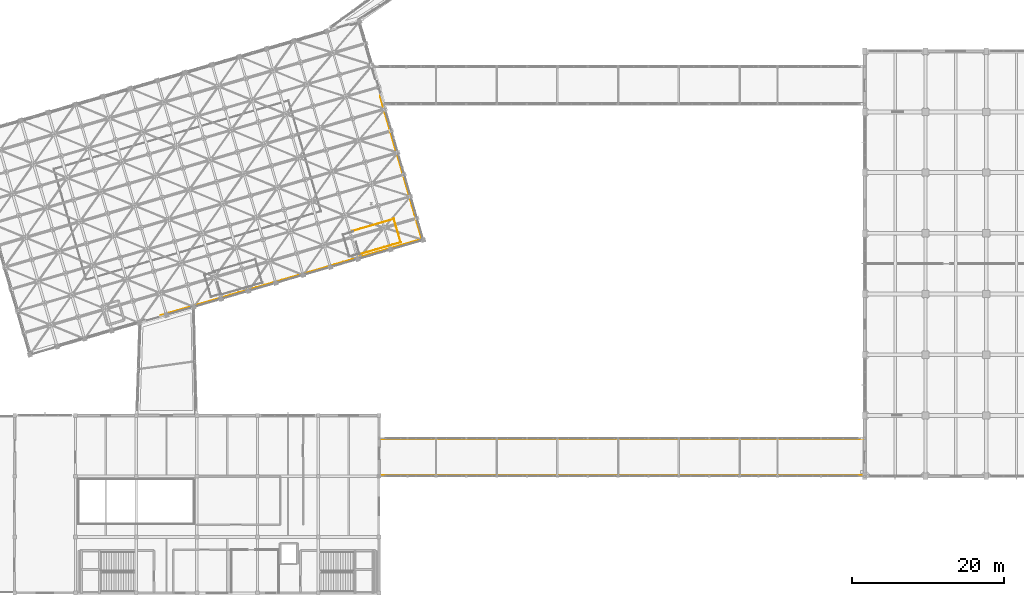
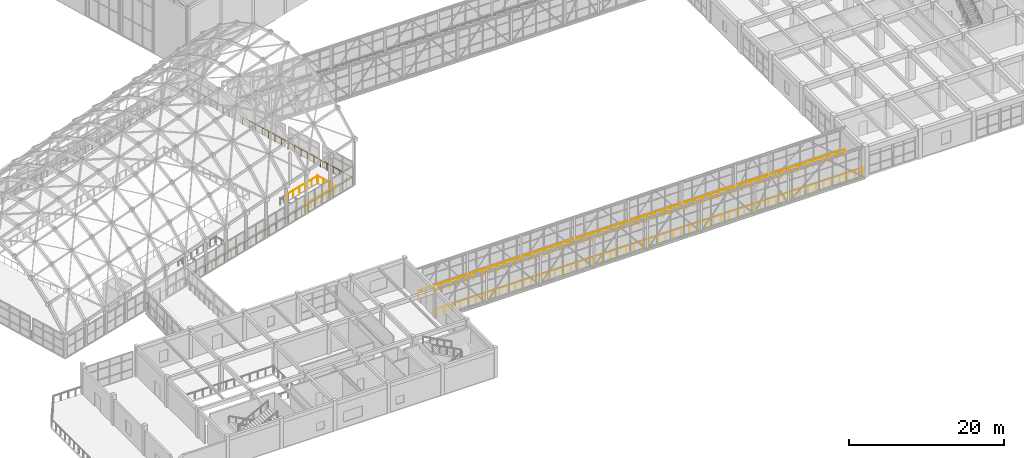
# One storey, part 241 of 248: 6 railings.
"""IFC4 building model written with IfcOpenShell, lengths in metres."""

from ifc_helpers import new_model, si_unit, direction, frame, origin, origin_2d, place, context, subcontext, project, spatial, circle, extrude, material, type_object, element, save


model = new_model("IFC4")

# Units and contexts
model_context = context("Model", 3, precision=1e-05, world=origin(), true_north=direction((0.0, 1.0)))
body_context = subcontext(model_context, "Body", "Model", "MODEL_VIEW")
ifc_project = project(units=[si_unit("LENGTHUNIT", "METRE"), si_unit("AREAUNIT", "SQUARE_METRE"), si_unit("VOLUMEUNIT", "CUBIC_METRE"), si_unit("PLANEANGLEUNIT", "RADIAN"), si_unit("MASSUNIT", "GRAM", prefix="KILO")], contexts=[model_context])

# Site, building, storey
site_placement = place(None, origin())
site = spatial("IfcSite", under=ifc_project, at=site_placement, CompositionType="ELEMENT")
building_placement = place(site_placement, origin())
building = spatial("IfcBuilding", under=site, at=building_placement, Name="Canggui Botanical Conservatory", CompositionType="ELEMENT")
storey_placement = place(building_placement, frame((0.0, 0.0, 5.39990234375)))
storey = spatial("IfcBuildingStorey", under=building, at=storey_placement, Name="L02", CompositionType="ELEMENT", Elevation=5.39990234375)

# Railings
ifc_material_1 = material(Name="Stainless Steel 304", Category="steel")
railing_type_1 = type_object("IfcRailingType", Name="RAIL-GUARD-1100", PredefinedType="BALUSTRADE", material=ifc_material_1)
for number, where, name in (
    (1, (63.382080078125, 55.22607421875, 0.0), "L02 ST-C2 top well guard 2"),
    (2, (62.486083984375, 58.298095703125, 0.0), "L02 ST-C2 top well guard 3"),
):
    element("IfcRailing", number, at=place(storey_placement, frame(where)), inside=storey, type_object=railing_type_1, Name=name, PredefinedType="BALUSTRADE", context=body_context, shape_type="SweptSolid", body=[
        extrude(circle(Radius=0.02392578125, at=origin_2d()), frame((0.0, 0.0, 1.076171875), z_axis=(0.96000665736, 0.279977173756, 0.0), x_axis=(-0.279977173756, 0.96000665736, 0.0)), (0.0, 0.0, 1.0), 5.75),
        extrude(circle(Radius=0.02099609375, at=origin_2d()), origin(), (0.0, 0.0, 1.0), 1.052001953125),
        extrude(circle(Radius=0.02099609375, at=origin_2d()), frame((1.10400390625, 0.322021484375, 0.0)), (0.0, 0.0, 1.0), 1.052001953125),
        extrude(circle(Radius=0.02099609375, at=origin_2d()), frame((2.2080078125, 0.64404296875, 0.0)), (0.0, 0.0, 1.0), 1.052001953125),
        extrude(circle(Radius=0.02099609375, at=origin_2d()), frame((3.31201171875, 0.9658203125, 0.0)), (0.0, 0.0, 1.0), 1.052001953125),
        extrude(circle(Radius=0.02099609375, at=origin_2d()), frame((4.416015625, 1.287841796875, 0.0)), (0.0, 0.0, 1.0), 1.052001953125),
        extrude(circle(Radius=0.02099609375, at=origin_2d()), frame((5.52001953125, 1.60986328125, 0.0)), (0.0, 0.0, 1.0), 1.052001953125),
    ])
railing_1_placement = place(storey_placement, frame((68.867919921875, 56.77392578125, 0.0)))
element("IfcRailing", 3, at=railing_1_placement, inside=storey, type_object=railing_type_1, Name="L02 ST-C2 top well guard 4", PredefinedType="BALUSTRADE", context=body_context, shape_type="SweptSolid", body=[
    extrude(circle(Radius=0.02392578125, at=origin_2d()), frame((0.0, 0.0, 1.076171875), z_axis=(-0.279954544065, 0.960013256813, 0.0), x_axis=(-0.960013256813, -0.279954544065, 0.0)), (0.0, 0.0, 1.0), 3.2998046875),
    extrude(circle(Radius=0.02099609375, at=origin_2d()), origin(), (0.0, 0.0, 1.0), 1.052001953125),
    extrude(circle(Radius=0.02099609375, at=origin_2d()), frame((-0.307861328125, 1.055908203125, 0.0)), (0.0, 0.0, 1.0), 1.052001953125),
    extrude(circle(Radius=0.02099609375, at=origin_2d()), frame((-0.615966796875, 2.112060546875, 0.0)), (0.0, 0.0, 1.0), 1.052001953125),
    extrude(circle(Radius=0.02099609375, at=origin_2d()), frame((-0.923828125, 3.16796875, 0.0)), (0.0, 0.0, 1.0), 1.052001953125),
])
ifc_material_2 = material(Name="Laminated Safety Glass", Category="glass")
railing_type_2 = type_object("IfcRailingType", Name="RAIL-TERR-1200", PredefinedType="BALUSTRADE", material=ifc_material_2)
railing_2_placement = place(storey_placement, frame((66.199951171875, 26.1201171875, 0.0)))
element("IfcRailing", 4, at=railing_2_placement, inside=storey, type_object=railing_type_2, Name="SB-01 Glazed Walkway Guardrail 1", PredefinedType="BALUSTRADE", context=body_context, shape_type="SweptSolid", body=[
    extrude(circle(Radius=0.02392578125, at=origin_2d()), frame((0.0, 0.0, 1.17578125), z_axis=(1.0, 0.0, 0.0), x_axis=(0.0, 1.0, 0.0)), (0.0, 0.0, 1.0), 63.60009765625),
    extrude(circle(Radius=0.02099609375, at=origin_2d()), origin(), (0.0, 0.0, 1.0), 1.15185546875),
    extrude(circle(Radius=0.02099609375, at=origin_2d()), frame((1.177734375, 0.0, 0.0)), (0.0, 0.0, 1.0), 1.15185546875),
    extrude(circle(Radius=0.02099609375, at=origin_2d()), frame((2.35546875, 0.0, 0.0)), (0.0, 0.0, 1.0), 1.15185546875),
    extrude(circle(Radius=0.02099609375, at=origin_2d()), frame((3.533447265625, 0.0, 0.0)), (0.0, 0.0, 1.0), 1.15185546875),
    extrude(circle(Radius=0.02099609375, at=origin_2d()), frame((4.711181640625, 0.0, 0.0)), (0.0, 0.0, 1.0), 1.15185546875),
    extrude(circle(Radius=0.02099609375, at=origin_2d()), frame((5.888916015625, 0.0, 0.0)), (0.0, 0.0, 1.0), 1.15185546875),
    extrude(circle(Radius=0.02099609375, at=origin_2d()), frame((7.066650390625, 0.0, 0.0)), (0.0, 0.0, 1.0), 1.15185546875),
    extrude(circle(Radius=0.02099609375, at=origin_2d()), frame((8.244384765625, 0.0, 0.0)), (0.0, 0.0, 1.0), 1.15185546875),
    extrude(circle(Radius=0.02099609375, at=origin_2d()), frame((9.422119140625, 0.0, 0.0)), (0.0, 0.0, 1.0), 1.15185546875),
    extrude(circle(Radius=0.02099609375, at=origin_2d()), frame((10.60009765625, 0.0, 0.0)), (0.0, 0.0, 1.0), 1.15185546875),
    extrude(circle(Radius=0.02099609375, at=origin_2d()), frame((11.77783203125, 0.0, 0.0)), (0.0, 0.0, 1.0), 1.15185546875),
    extrude(circle(Radius=0.02099609375, at=origin_2d()), frame((12.95556640625, 0.0, 0.0)), (0.0, 0.0, 1.0), 1.15185546875),
    extrude(circle(Radius=0.02099609375, at=origin_2d()), frame((14.13330078125, 0.0, 0.0)), (0.0, 0.0, 1.0), 1.15185546875),
    extrude(circle(Radius=0.02099609375, at=origin_2d()), frame((15.31103515625, 0.0, 0.0)), (0.0, 0.0, 1.0), 1.15185546875),
    extrude(circle(Radius=0.02099609375, at=origin_2d()), frame((16.489013671875, 0.0, 0.0)), (0.0, 0.0, 1.0), 1.15185546875),
    extrude(circle(Radius=0.02099609375, at=origin_2d()), frame((17.666748046875, 0.0, 0.0)), (0.0, 0.0, 1.0), 1.15185546875),
    extrude(circle(Radius=0.02099609375, at=origin_2d()), frame((18.844482421875, 0.0, 0.0)), (0.0, 0.0, 1.0), 1.15185546875),
    extrude(circle(Radius=0.02099609375, at=origin_2d()), frame((20.022216796875, 0.0, 0.0)), (0.0, 0.0, 1.0), 1.15185546875),
    extrude(circle(Radius=0.02099609375, at=origin_2d()), frame((21.199951171875, 0.0, 0.0)), (0.0, 0.0, 1.0), 1.15185546875),
    extrude(circle(Radius=0.02099609375, at=origin_2d()), frame((22.3779296875, 0.0, 0.0)), (0.0, 0.0, 1.0), 1.15185546875),
    extrude(circle(Radius=0.02099609375, at=origin_2d()), frame((23.5556640625, 0.0, 0.0)), (0.0, 0.0, 1.0), 1.15185546875),
    extrude(circle(Radius=0.02099609375, at=origin_2d()), frame((24.7333984375, 0.0, 0.0)), (0.0, 0.0, 1.0), 1.15185546875),
    extrude(circle(Radius=0.02099609375, at=origin_2d()), frame((25.9111328125, 0.0, 0.0)), (0.0, 0.0, 1.0), 1.15185546875),
    extrude(circle(Radius=0.02099609375, at=origin_2d()), frame((27.0888671875, 0.0, 0.0)), (0.0, 0.0, 1.0), 1.15185546875),
    extrude(circle(Radius=0.02099609375, at=origin_2d()), frame((28.2666015625, 0.0, 0.0)), (0.0, 0.0, 1.0), 1.15185546875),
    extrude(circle(Radius=0.02099609375, at=origin_2d()), frame((29.444580078125, 0.0, 0.0)), (0.0, 0.0, 1.0), 1.15185546875),
    extrude(circle(Radius=0.02099609375, at=origin_2d()), frame((30.622314453125, 0.0, 0.0)), (0.0, 0.0, 1.0), 1.15185546875),
    extrude(circle(Radius=0.02099609375, at=origin_2d()), frame((31.800048828125, 0.0, 0.0)), (0.0, 0.0, 1.0), 1.15185546875),
    extrude(circle(Radius=0.02099609375, at=origin_2d()), frame((32.977783203125, 0.0, 0.0)), (0.0, 0.0, 1.0), 1.15185546875),
    extrude(circle(Radius=0.02099609375, at=origin_2d()), frame((34.155517578125, 0.0, 0.0)), (0.0, 0.0, 1.0), 1.15185546875),
    extrude(circle(Radius=0.02099609375, at=origin_2d()), frame((35.33349609375, 0.0, 0.0)), (0.0, 0.0, 1.0), 1.15185546875),
    extrude(circle(Radius=0.02099609375, at=origin_2d()), frame((36.51123046875, 0.0, 0.0)), (0.0, 0.0, 1.0), 1.15185546875),
    extrude(circle(Radius=0.02099609375, at=origin_2d()), frame((37.68896484375, 0.0, 0.0)), (0.0, 0.0, 1.0), 1.15185546875),
    extrude(circle(Radius=0.02099609375, at=origin_2d()), frame((38.86669921875, 0.0, 0.0)), (0.0, 0.0, 1.0), 1.15185546875),
    extrude(circle(Radius=0.02099609375, at=origin_2d()), frame((40.04443359375, 0.0, 0.0)), (0.0, 0.0, 1.0), 1.15185546875),
    extrude(circle(Radius=0.02099609375, at=origin_2d()), frame((41.22216796875, 0.0, 0.0)), (0.0, 0.0, 1.0), 1.15185546875),
    extrude(circle(Radius=0.02099609375, at=origin_2d()), frame((42.400146484375, 0.0, 0.0)), (0.0, 0.0, 1.0), 1.15185546875),
    extrude(circle(Radius=0.02099609375, at=origin_2d()), frame((43.577880859375, 0.0, 0.0)), (0.0, 0.0, 1.0), 1.15185546875),
    extrude(circle(Radius=0.02099609375, at=origin_2d()), frame((44.755615234375, 0.0, 0.0)), (0.0, 0.0, 1.0), 1.15185546875),
    extrude(circle(Radius=0.02099609375, at=origin_2d()), frame((45.933349609375, 0.0, 0.0)), (0.0, 0.0, 1.0), 1.15185546875),
    extrude(circle(Radius=0.02099609375, at=origin_2d()), frame((47.111083984375, 0.0, 0.0)), (0.0, 0.0, 1.0), 1.15185546875),
    extrude(circle(Radius=0.02099609375, at=origin_2d()), frame((48.2890625, 0.0, 0.0)), (0.0, 0.0, 1.0), 1.15185546875),
    extrude(circle(Radius=0.02099609375, at=origin_2d()), frame((49.466796875, 0.0, 0.0)), (0.0, 0.0, 1.0), 1.15185546875),
    extrude(circle(Radius=0.02099609375, at=origin_2d()), frame((50.64453125, 0.0, 0.0)), (0.0, 0.0, 1.0), 1.15185546875),
    extrude(circle(Radius=0.02099609375, at=origin_2d()), frame((51.822265625, 0.0, 0.0)), (0.0, 0.0, 1.0), 1.15185546875),
    extrude(circle(Radius=0.02099609375, at=origin_2d()), frame((53.0, 0.0, 0.0)), (0.0, 0.0, 1.0), 1.15185546875),
    extrude(circle(Radius=0.02099609375, at=origin_2d()), frame((54.177978515625, 0.0, 0.0)), (0.0, 0.0, 1.0), 1.15185546875),
    extrude(circle(Radius=0.02099609375, at=origin_2d()), frame((55.355712890625, 0.0, 0.0)), (0.0, 0.0, 1.0), 1.15185546875),
    extrude(circle(Radius=0.02099609375, at=origin_2d()), frame((56.533447265625, 0.0, 0.0)), (0.0, 0.0, 1.0), 1.15185546875),
    extrude(circle(Radius=0.02099609375, at=origin_2d()), frame((57.711181640625, 0.0, 0.0)), (0.0, 0.0, 1.0), 1.15185546875),
    extrude(circle(Radius=0.02099609375, at=origin_2d()), frame((58.888916015625, 0.0, 0.0)), (0.0, 0.0, 1.0), 1.15185546875),
    extrude(circle(Radius=0.02099609375, at=origin_2d()), frame((60.066650390625, 0.0, 0.0)), (0.0, 0.0, 1.0), 1.15185546875),
    extrude(circle(Radius=0.02099609375, at=origin_2d()), frame((61.24462890625, 0.0, 0.0)), (0.0, 0.0, 1.0), 1.15185546875),
    extrude(circle(Radius=0.02099609375, at=origin_2d()), frame((62.42236328125, 0.0, 0.0)), (0.0, 0.0, 1.0), 1.15185546875),
    extrude(circle(Radius=0.02099609375, at=origin_2d()), frame((63.60009765625, 0.0, 0.0)), (0.0, 0.0, 1.0), 1.15185546875),
])
railing_3_placement = place(storey_placement, frame((66.199951171875, 30.8798828125, 0.0)))
element("IfcRailing", 5, at=railing_3_placement, inside=storey, type_object=railing_type_2, Name="SB-01 Glazed Walkway Guardrail 2", PredefinedType="BALUSTRADE", context=body_context, shape_type="SweptSolid", body=[
    extrude(circle(Radius=0.02392578125, at=origin_2d()), frame((0.0, 0.0, 1.17578125), z_axis=(1.0, 0.0, 0.0), x_axis=(0.0, 1.0, 0.0)), (0.0, 0.0, 1.0), 63.60009765625),
    extrude(circle(Radius=0.02099609375, at=origin_2d()), origin(), (0.0, 0.0, 1.0), 1.15185546875),
    extrude(circle(Radius=0.02099609375, at=origin_2d()), frame((1.177734375, 0.0, 0.0)), (0.0, 0.0, 1.0), 1.15185546875),
    extrude(circle(Radius=0.02099609375, at=origin_2d()), frame((2.35546875, 0.0, 0.0)), (0.0, 0.0, 1.0), 1.15185546875),
    extrude(circle(Radius=0.02099609375, at=origin_2d()), frame((3.533447265625, 0.0, 0.0)), (0.0, 0.0, 1.0), 1.15185546875),
    extrude(circle(Radius=0.02099609375, at=origin_2d()), frame((4.711181640625, 0.0, 0.0)), (0.0, 0.0, 1.0), 1.15185546875),
    extrude(circle(Radius=0.02099609375, at=origin_2d()), frame((5.888916015625, 0.0, 0.0)), (0.0, 0.0, 1.0), 1.15185546875),
    extrude(circle(Radius=0.02099609375, at=origin_2d()), frame((7.066650390625, 0.0, 0.0)), (0.0, 0.0, 1.0), 1.15185546875),
    extrude(circle(Radius=0.02099609375, at=origin_2d()), frame((8.244384765625, 0.0, 0.0)), (0.0, 0.0, 1.0), 1.15185546875),
    extrude(circle(Radius=0.02099609375, at=origin_2d()), frame((9.422119140625, 0.0, 0.0)), (0.0, 0.0, 1.0), 1.15185546875),
    extrude(circle(Radius=0.02099609375, at=origin_2d()), frame((10.60009765625, 0.0, 0.0)), (0.0, 0.0, 1.0), 1.15185546875),
    extrude(circle(Radius=0.02099609375, at=origin_2d()), frame((11.77783203125, 0.0, 0.0)), (0.0, 0.0, 1.0), 1.15185546875),
    extrude(circle(Radius=0.02099609375, at=origin_2d()), frame((12.95556640625, 0.0, 0.0)), (0.0, 0.0, 1.0), 1.15185546875),
    extrude(circle(Radius=0.02099609375, at=origin_2d()), frame((14.13330078125, 0.0, 0.0)), (0.0, 0.0, 1.0), 1.15185546875),
    extrude(circle(Radius=0.02099609375, at=origin_2d()), frame((15.31103515625, 0.0, 0.0)), (0.0, 0.0, 1.0), 1.15185546875),
    extrude(circle(Radius=0.02099609375, at=origin_2d()), frame((16.489013671875, 0.0, 0.0)), (0.0, 0.0, 1.0), 1.15185546875),
    extrude(circle(Radius=0.02099609375, at=origin_2d()), frame((17.666748046875, 0.0, 0.0)), (0.0, 0.0, 1.0), 1.15185546875),
    extrude(circle(Radius=0.02099609375, at=origin_2d()), frame((18.844482421875, 0.0, 0.0)), (0.0, 0.0, 1.0), 1.15185546875),
    extrude(circle(Radius=0.02099609375, at=origin_2d()), frame((20.022216796875, 0.0, 0.0)), (0.0, 0.0, 1.0), 1.15185546875),
    extrude(circle(Radius=0.02099609375, at=origin_2d()), frame((21.199951171875, 0.0, 0.0)), (0.0, 0.0, 1.0), 1.15185546875),
    extrude(circle(Radius=0.02099609375, at=origin_2d()), frame((22.3779296875, 0.0, 0.0)), (0.0, 0.0, 1.0), 1.15185546875),
    extrude(circle(Radius=0.02099609375, at=origin_2d()), frame((23.5556640625, 0.0, 0.0)), (0.0, 0.0, 1.0), 1.15185546875),
    extrude(circle(Radius=0.02099609375, at=origin_2d()), frame((24.7333984375, 0.0, 0.0)), (0.0, 0.0, 1.0), 1.15185546875),
    extrude(circle(Radius=0.02099609375, at=origin_2d()), frame((25.9111328125, 0.0, 0.0)), (0.0, 0.0, 1.0), 1.15185546875),
    extrude(circle(Radius=0.02099609375, at=origin_2d()), frame((27.0888671875, 0.0, 0.0)), (0.0, 0.0, 1.0), 1.15185546875),
    extrude(circle(Radius=0.02099609375, at=origin_2d()), frame((28.2666015625, 0.0, 0.0)), (0.0, 0.0, 1.0), 1.15185546875),
    extrude(circle(Radius=0.02099609375, at=origin_2d()), frame((29.444580078125, 0.0, 0.0)), (0.0, 0.0, 1.0), 1.15185546875),
    extrude(circle(Radius=0.02099609375, at=origin_2d()), frame((30.622314453125, 0.0, 0.0)), (0.0, 0.0, 1.0), 1.15185546875),
    extrude(circle(Radius=0.02099609375, at=origin_2d()), frame((31.800048828125, 0.0, 0.0)), (0.0, 0.0, 1.0), 1.15185546875),
    extrude(circle(Radius=0.02099609375, at=origin_2d()), frame((32.977783203125, 0.0, 0.0)), (0.0, 0.0, 1.0), 1.15185546875),
    extrude(circle(Radius=0.02099609375, at=origin_2d()), frame((34.155517578125, 0.0, 0.0)), (0.0, 0.0, 1.0), 1.15185546875),
    extrude(circle(Radius=0.02099609375, at=origin_2d()), frame((35.33349609375, 0.0, 0.0)), (0.0, 0.0, 1.0), 1.15185546875),
    extrude(circle(Radius=0.02099609375, at=origin_2d()), frame((36.51123046875, 0.0, 0.0)), (0.0, 0.0, 1.0), 1.15185546875),
    extrude(circle(Radius=0.02099609375, at=origin_2d()), frame((37.68896484375, 0.0, 0.0)), (0.0, 0.0, 1.0), 1.15185546875),
    extrude(circle(Radius=0.02099609375, at=origin_2d()), frame((38.86669921875, 0.0, 0.0)), (0.0, 0.0, 1.0), 1.15185546875),
    extrude(circle(Radius=0.02099609375, at=origin_2d()), frame((40.04443359375, 0.0, 0.0)), (0.0, 0.0, 1.0), 1.15185546875),
    extrude(circle(Radius=0.02099609375, at=origin_2d()), frame((41.22216796875, 0.0, 0.0)), (0.0, 0.0, 1.0), 1.15185546875),
    extrude(circle(Radius=0.02099609375, at=origin_2d()), frame((42.400146484375, 0.0, 0.0)), (0.0, 0.0, 1.0), 1.15185546875),
    extrude(circle(Radius=0.02099609375, at=origin_2d()), frame((43.577880859375, 0.0, 0.0)), (0.0, 0.0, 1.0), 1.15185546875),
    extrude(circle(Radius=0.02099609375, at=origin_2d()), frame((44.755615234375, 0.0, 0.0)), (0.0, 0.0, 1.0), 1.15185546875),
    extrude(circle(Radius=0.02099609375, at=origin_2d()), frame((45.933349609375, 0.0, 0.0)), (0.0, 0.0, 1.0), 1.15185546875),
    extrude(circle(Radius=0.02099609375, at=origin_2d()), frame((47.111083984375, 0.0, 0.0)), (0.0, 0.0, 1.0), 1.15185546875),
    extrude(circle(Radius=0.02099609375, at=origin_2d()), frame((48.2890625, 0.0, 0.0)), (0.0, 0.0, 1.0), 1.15185546875),
    extrude(circle(Radius=0.02099609375, at=origin_2d()), frame((49.466796875, 0.0, 0.0)), (0.0, 0.0, 1.0), 1.15185546875),
    extrude(circle(Radius=0.02099609375, at=origin_2d()), frame((50.64453125, 0.0, 0.0)), (0.0, 0.0, 1.0), 1.15185546875),
    extrude(circle(Radius=0.02099609375, at=origin_2d()), frame((51.822265625, 0.0, 0.0)), (0.0, 0.0, 1.0), 1.15185546875),
    extrude(circle(Radius=0.02099609375, at=origin_2d()), frame((53.0, 0.0, 0.0)), (0.0, 0.0, 1.0), 1.15185546875),
    extrude(circle(Radius=0.02099609375, at=origin_2d()), frame((54.177978515625, 0.0, 0.0)), (0.0, 0.0, 1.0), 1.15185546875),
    extrude(circle(Radius=0.02099609375, at=origin_2d()), frame((55.355712890625, 0.0, 0.0)), (0.0, 0.0, 1.0), 1.15185546875),
    extrude(circle(Radius=0.02099609375, at=origin_2d()), frame((56.533447265625, 0.0, 0.0)), (0.0, 0.0, 1.0), 1.15185546875),
    extrude(circle(Radius=0.02099609375, at=origin_2d()), frame((57.711181640625, 0.0, 0.0)), (0.0, 0.0, 1.0), 1.15185546875),
    extrude(circle(Radius=0.02099609375, at=origin_2d()), frame((58.888916015625, 0.0, 0.0)), (0.0, 0.0, 1.0), 1.15185546875),
    extrude(circle(Radius=0.02099609375, at=origin_2d()), frame((60.066650390625, 0.0, 0.0)), (0.0, 0.0, 1.0), 1.15185546875),
    extrude(circle(Radius=0.02099609375, at=origin_2d()), frame((61.24462890625, 0.0, 0.0)), (0.0, 0.0, 1.0), 1.15185546875),
    extrude(circle(Radius=0.02099609375, at=origin_2d()), frame((62.42236328125, 0.0, 0.0)), (0.0, 0.0, 1.0), 1.15185546875),
    extrude(circle(Radius=0.02099609375, at=origin_2d()), frame((63.60009765625, 0.0, 0.0)), (0.0, 0.0, 1.0), 1.15185546875),
])
railing_type_3 = type_object("IfcRailingType", Name="RAIL-VOID-1150", PredefinedType="BALUSTRADE", material=ifc_material_2)
railing_4_placement = place(storey_placement, frame((37.238037109375, 47.18408203125, 0.0)))
element("IfcRailing", 6, at=railing_4_placement, inside=storey, type_object=railing_type_3, Name="Conservatory Canopy Skywalk Perimeter Guardrail 2", PredefinedType="BALUSTRADE", context=body_context, shape_type="SweptSolid", body=[
    extrude(circle(Radius=0.02392578125, at=origin_2d()), frame((0.0, 0.0, 1.1259765625), z_axis=(0.960001220355, 0.279995815894, 0.0), x_axis=(-0.279995815894, 0.960001220355, 0.0)), (0.0, 0.0, 1.0), 35.849853515625),
    extrude(circle(Radius=0.02392578125, at=origin_2d()), frame((34.416015625, 10.037841796875, 1.1259765625), z_axis=(-0.279997614503, 0.960000695767, 0.0), x_axis=(-0.960000695767, -0.279997614503, 0.0)), (0.0, 0.0, 1.0), 19.64990234375),
    extrude(circle(Radius=0.02099609375, at=origin_2d()), origin(), (0.0, 0.0, 1.0), 1.101806640625),
    extrude(circle(Radius=0.02099609375, at=origin_2d()), frame((1.147216796875, 0.33447265625, 0.0)), (0.0, 0.0, 1.0), 1.101806640625),
    extrude(circle(Radius=0.02099609375, at=origin_2d()), frame((2.29443359375, 0.669189453125, 0.0)), (0.0, 0.0, 1.0), 1.101806640625),
    extrude(circle(Radius=0.02099609375, at=origin_2d()), frame((3.441650390625, 1.00390625, 0.0)), (0.0, 0.0, 1.0), 1.101806640625),
    extrude(circle(Radius=0.02099609375, at=origin_2d()), frame((4.5888671875, 1.33837890625, 0.0)), (0.0, 0.0, 1.0), 1.101806640625),
    extrude(circle(Radius=0.02099609375, at=origin_2d()), frame((5.736083984375, 1.6728515625, 0.0)), (0.0, 0.0, 1.0), 1.101806640625),
    extrude(circle(Radius=0.02099609375, at=origin_2d()), frame((6.88330078125, 2.007568359375, 0.0)), (0.0, 0.0, 1.0), 1.101806640625),
    extrude(circle(Radius=0.02099609375, at=origin_2d()), frame((8.030517578125, 2.34228515625, 0.0)), (0.0, 0.0, 1.0), 1.101806640625),
    extrude(circle(Radius=0.02099609375, at=origin_2d()), frame((9.177490234375, 2.6767578125, 0.0)), (0.0, 0.0, 1.0), 1.101806640625),
    extrude(circle(Radius=0.02099609375, at=origin_2d()), frame((10.32470703125, 3.01123046875, 0.0)), (0.0, 0.0, 1.0), 1.101806640625),
    extrude(circle(Radius=0.02099609375, at=origin_2d()), frame((11.471923828125, 3.345947265625, 0.0)), (0.0, 0.0, 1.0), 1.101806640625),
    extrude(circle(Radius=0.02099609375, at=origin_2d()), frame((12.619140625, 3.680419921875, 0.0)), (0.0, 0.0, 1.0), 1.101806640625),
    extrude(circle(Radius=0.02099609375, at=origin_2d()), frame((13.766357421875, 4.01513671875, 0.0)), (0.0, 0.0, 1.0), 1.101806640625),
    extrude(circle(Radius=0.02099609375, at=origin_2d()), frame((14.91357421875, 4.349609375, 0.0)), (0.0, 0.0, 1.0), 1.101806640625),
    extrude(circle(Radius=0.02099609375, at=origin_2d()), frame((16.060791015625, 4.684326171875, 0.0)), (0.0, 0.0, 1.0), 1.101806640625),
    extrude(circle(Radius=0.02099609375, at=origin_2d()), frame((17.2080078125, 5.01904296875, 0.0)), (0.0, 0.0, 1.0), 1.101806640625),
    extrude(circle(Radius=0.02099609375, at=origin_2d()), frame((18.355224609375, 5.353515625, 0.0)), (0.0, 0.0, 1.0), 1.101806640625),
    extrude(circle(Radius=0.02099609375, at=origin_2d()), frame((19.50244140625, 5.68798828125, 0.0)), (0.0, 0.0, 1.0), 1.101806640625),
    extrude(circle(Radius=0.02099609375, at=origin_2d()), frame((20.649658203125, 6.022705078125, 0.0)), (0.0, 0.0, 1.0), 1.101806640625),
    extrude(circle(Radius=0.02099609375, at=origin_2d()), frame((21.796875, 6.357421875, 0.0)), (0.0, 0.0, 1.0), 1.101806640625),
    extrude(circle(Radius=0.02099609375, at=origin_2d()), frame((22.944091796875, 6.69189453125, 0.0)), (0.0, 0.0, 1.0), 1.101806640625),
    extrude(circle(Radius=0.02099609375, at=origin_2d()), frame((24.09130859375, 7.0263671875, 0.0)), (0.0, 0.0, 1.0), 1.101806640625),
    extrude(circle(Radius=0.02099609375, at=origin_2d()), frame((25.238525390625, 7.361083984375, 0.0)), (0.0, 0.0, 1.0), 1.101806640625),
    extrude(circle(Radius=0.02099609375, at=origin_2d()), frame((26.385498046875, 7.69580078125, 0.0)), (0.0, 0.0, 1.0), 1.101806640625),
    extrude(circle(Radius=0.02099609375, at=origin_2d()), frame((27.53271484375, 8.0302734375, 0.0)), (0.0, 0.0, 1.0), 1.101806640625),
    extrude(circle(Radius=0.02099609375, at=origin_2d()), frame((28.679931640625, 8.36474609375, 0.0)), (0.0, 0.0, 1.0), 1.101806640625),
    extrude(circle(Radius=0.02099609375, at=origin_2d()), frame((29.8271484375, 8.699462890625, 0.0)), (0.0, 0.0, 1.0), 1.101806640625),
    extrude(circle(Radius=0.02099609375, at=origin_2d()), frame((30.974365234375, 9.0341796875, 0.0)), (0.0, 0.0, 1.0), 1.101806640625),
    extrude(circle(Radius=0.02099609375, at=origin_2d()), frame((32.12158203125, 9.36865234375, 0.0)), (0.0, 0.0, 1.0), 1.101806640625),
    extrude(circle(Radius=0.02099609375, at=origin_2d()), frame((33.268798828125, 9.703125, 0.0)), (0.0, 0.0, 1.0), 1.101806640625),
    extrude(circle(Radius=0.02099609375, at=origin_2d()), frame((34.416015625, 10.037841796875, 0.0)), (0.0, 0.0, 1.0), 1.101806640625),
    extrude(circle(Radius=0.02099609375, at=origin_2d()), frame((34.09228515625, 11.1474609375, 0.0)), (0.0, 0.0, 1.0), 1.101806640625),
    extrude(circle(Radius=0.02099609375, at=origin_2d()), frame((33.768798828125, 12.257080078125, 0.0)), (0.0, 0.0, 1.0), 1.101806640625),
    extrude(circle(Radius=0.02099609375, at=origin_2d()), frame((33.445068359375, 13.36669921875, 0.0)), (0.0, 0.0, 1.0), 1.101806640625),
    extrude(circle(Radius=0.02099609375, at=origin_2d()), frame((33.121337890625, 14.476318359375, 0.0)), (0.0, 0.0, 1.0), 1.101806640625),
    extrude(circle(Radius=0.02099609375, at=origin_2d()), frame((32.7978515625, 15.586181640625, 0.0)), (0.0, 0.0, 1.0), 1.101806640625),
    extrude(circle(Radius=0.02099609375, at=origin_2d()), frame((32.47412109375, 16.69580078125, 0.0)), (0.0, 0.0, 1.0), 1.101806640625),
    extrude(circle(Radius=0.02099609375, at=origin_2d()), frame((32.150390625, 17.805419921875, 0.0)), (0.0, 0.0, 1.0), 1.101806640625),
    extrude(circle(Radius=0.02099609375, at=origin_2d()), frame((31.826904296875, 18.9150390625, 0.0)), (0.0, 0.0, 1.0), 1.101806640625),
    extrude(circle(Radius=0.02099609375, at=origin_2d()), frame((31.503173828125, 20.024658203125, 0.0)), (0.0, 0.0, 1.0), 1.101806640625),
    extrude(circle(Radius=0.02099609375, at=origin_2d()), frame((31.1796875, 21.13427734375, 0.0)), (0.0, 0.0, 1.0), 1.101806640625),
    extrude(circle(Radius=0.02099609375, at=origin_2d()), frame((30.85595703125, 22.243896484375, 0.0)), (0.0, 0.0, 1.0), 1.101806640625),
    extrude(circle(Radius=0.02099609375, at=origin_2d()), frame((30.5322265625, 23.353515625, 0.0)), (0.0, 0.0, 1.0), 1.101806640625),
    extrude(circle(Radius=0.02099609375, at=origin_2d()), frame((30.208740234375, 24.46337890625, 0.0)), (0.0, 0.0, 1.0), 1.101806640625),
    extrude(circle(Radius=0.02099609375, at=origin_2d()), frame((29.885009765625, 25.572998046875, 0.0)), (0.0, 0.0, 1.0), 1.101806640625),
    extrude(circle(Radius=0.02099609375, at=origin_2d()), frame((29.561279296875, 26.6826171875, 0.0)), (0.0, 0.0, 1.0), 1.101806640625),
    extrude(circle(Radius=0.02099609375, at=origin_2d()), frame((29.23779296875, 27.792236328125, 0.0)), (0.0, 0.0, 1.0), 1.101806640625),
    extrude(circle(Radius=0.02099609375, at=origin_2d()), frame((28.9140625, 28.90185546875, 0.0)), (0.0, 0.0, 1.0), 1.101806640625),
])

save(model, "model.ifc")
